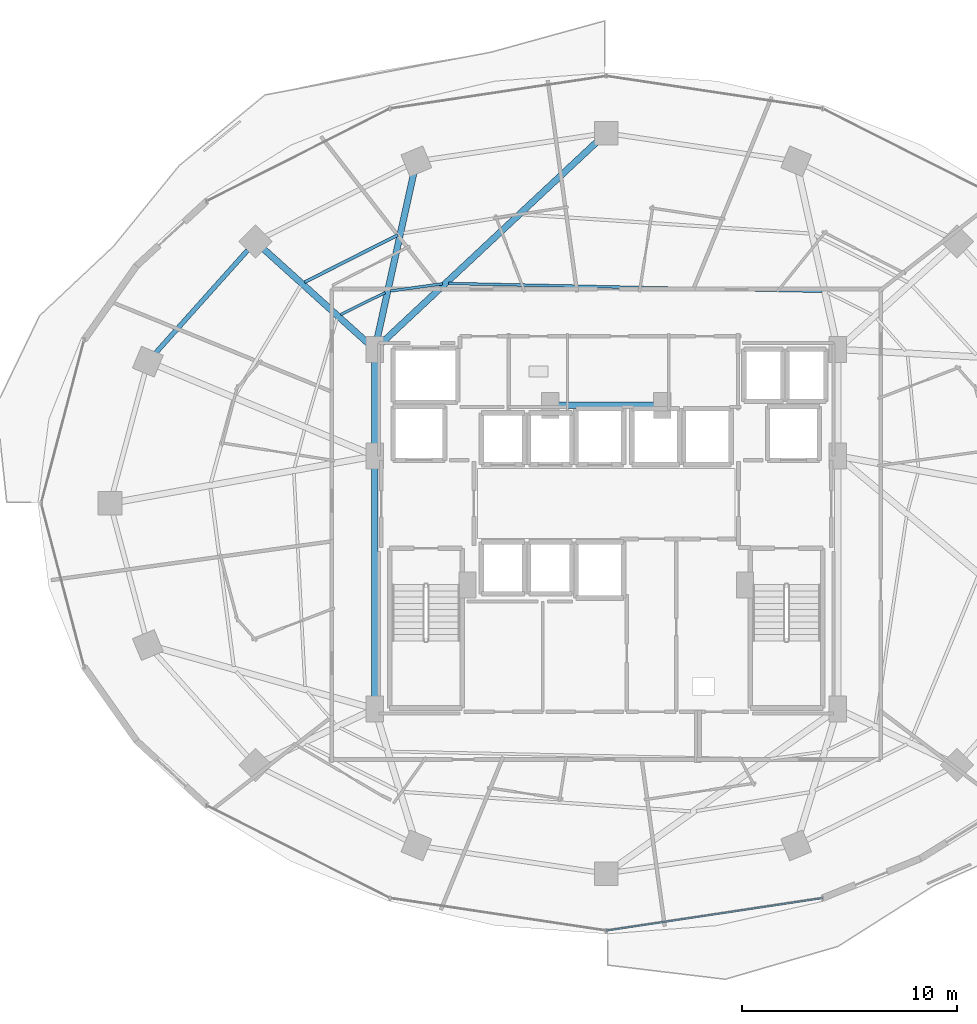
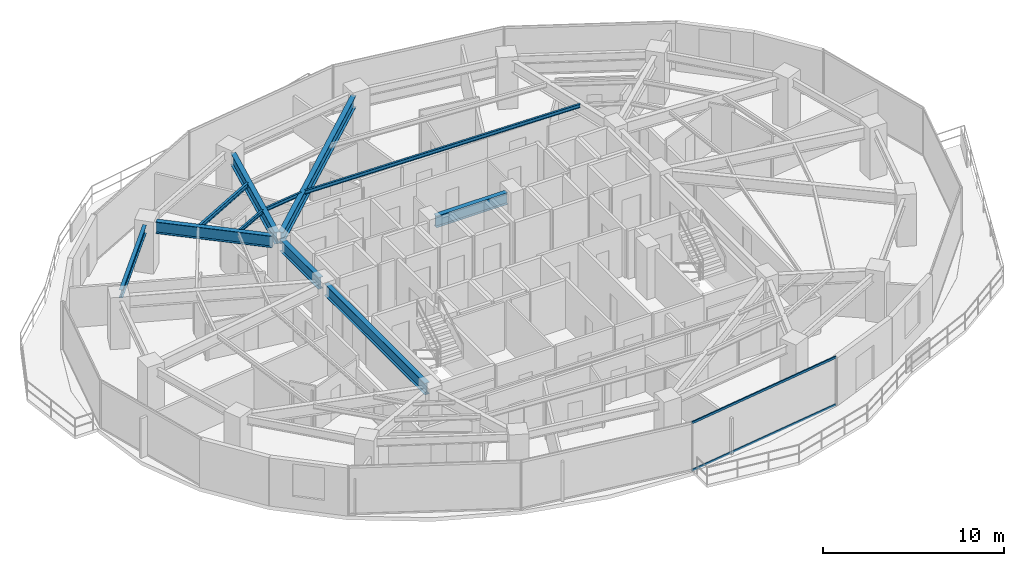
# One storey, part 9 of 30: 11 beams, 2 members, 1 element without a shape of its own.
"""IFC4 building model written with IfcOpenShell, lengths in metres."""

from ifc_helpers import new_model, si_unit, direction, frame, origin, origin_2d, place, context, subcontext, project, spatial, hollow_rectangle, i_section, extrude, material, material_profile, profile_set, type_object, element, aggregate, save


model = new_model("IFC4")

# Units and contexts
model_context = context("Model", 3, precision=1e-05, world=origin(), true_north=direction((0.0, 1.0)))
body_context = subcontext(model_context, "Body", "Model", "MODEL_VIEW")
ifc_project = project(units=[si_unit("LENGTHUNIT", "METRE"), si_unit("AREAUNIT", "SQUARE_METRE"), si_unit("VOLUMEUNIT", "CUBIC_METRE"), si_unit("PLANEANGLEUNIT", "RADIAN"), si_unit("MASSUNIT", "GRAM", prefix="KILO")], contexts=[model_context])

# Site, building, storey
site_placement = place(None, origin())
site = spatial("IfcSite", under=ifc_project, at=site_placement, CompositionType="ELEMENT")
building_placement = place(site_placement, origin())
building = spatial("IfcBuilding", under=site, at=building_placement, Name="Vorneva Point Tower", CompositionType="ELEMENT")
storey_placement = place(building_placement, frame((0.0, 0.0, 89.300048828125)))
storey = spatial("IfcBuildingStorey", under=building, at=storey_placement, Name="L23", CompositionType="ELEMENT", Elevation=89.300048828125)

# Beams
ifc_material_1 = material(Name="Steel S355", Category="steel")
ifc_material_profile_1 = material_profile(ifc_material_1, i_section(OverallWidth=0.300048828125, OverallDepth=0.7880859375, WebThickness=0.014404296875, FlangeThickness=0.02197265625, at=origin_2d()), Name="80Sh1")
ifc_profile_set_1 = profile_set([ifc_material_profile_1], Name="Steel S355")
beam_type_1 = type_object("IfcBeamType", Name="BM-GRD-80Sh1", PredefinedType="USERDEFINED", material=ifc_profile_set_1)
beam_1_placement = place(storey_placement, frame((37.60693359375, 42.83251953125, 2.845947265625), z_axis=(-0.730488863256, -0.682924608327, 0.0), x_axis=(0.682924608327, -0.730488863256, 0.0)))
element("IfcBeam", 1, at=beam_1_placement, inside=storey, type_object=beam_type_1, Name="L23 Radial Primary Girder 05", ObjectType="GIRDER", PredefinedType="USERDEFINED", context=body_context, shape_type="SweptSolid", body=[
    extrude(i_section(OverallWidth=0.300048828125, OverallDepth=0.7880859375, WebThickness=0.014404296875, FlangeThickness=0.02197265625, at=origin_2d()), origin(), (0.0, 0.0, 1.0), 13.838134765625),
])
beam_2_placement = place(storey_placement, frame((29.063232421875, 41.365234375, 2.845947265625), z_axis=(-0.215530944428, -0.976497010745, 0.0), x_axis=(0.976497010745, -0.215530944428, 0.0)))
element("IfcBeam", 2, at=beam_2_placement, inside=storey, type_object=beam_type_1, Name="L23 Radial Primary Girder 06", ObjectType="GIRDER", PredefinedType="USERDEFINED", context=body_context, shape_type="SweptSolid", body=[
    extrude(i_section(OverallWidth=0.300048828125, OverallDepth=0.7880859375, WebThickness=0.014404296875, FlangeThickness=0.02197265625, at=origin_2d()), origin(), (0.0, 0.0, 1.0), 8.072998046875),
])
beam_3_placement = place(storey_placement, frame((22.100341796875, 37.801513671875, 2.845947265625), z_axis=(0.742097300344, -0.670292172729, 0.0), x_axis=(0.670292172729, 0.742097300344, 0.0)))
element("IfcBeam", 3, at=beam_3_placement, inside=storey, type_object=beam_type_1, Name="L23 Radial Primary Girder 07", ObjectType="GIRDER", PredefinedType="USERDEFINED", context=body_context, shape_type="SweptSolid", body=[
    extrude(i_section(OverallWidth=0.300048828125, OverallDepth=0.7880859375, WebThickness=0.014404296875, FlangeThickness=0.02197265625, at=origin_2d()), origin(), (0.0, 0.0, 1.0), 6.599365234375),
])
beam_4_placement = place(storey_placement, frame((27.25, 16.77001953125, 2.845947265625), z_axis=(0.0, 1.0, 0.0), x_axis=(-1.0, 0.0, 0.0)))
element("IfcBeam", 4, at=beam_4_placement, inside=storey, type_object=beam_type_1, Name="L23 Core Tie Girder CT1", ObjectType="GIRDER", PredefinedType="USERDEFINED", context=body_context, shape_type="SweptSolid", body=[
    extrude(i_section(OverallWidth=0.300048828125, OverallDepth=0.7880859375, WebThickness=0.014404296875, FlangeThickness=0.02197265625, at=origin_2d()), origin(), (0.0, 0.0, 1.0), 11.10986328125),
])
beam_5_placement = place(storey_placement, frame((27.25, 28.52001953125, 2.845947265625), z_axis=(0.0, 1.0, 0.0), x_axis=(-1.0, 0.0, 0.0)))
element("IfcBeam", 5, at=beam_5_placement, inside=storey, type_object=beam_type_1, Name="L23 Core Tie Girder CT2", ObjectType="GIRDER", PredefinedType="USERDEFINED", context=body_context, shape_type="SweptSolid", body=[
    extrude(i_section(OverallWidth=0.300048828125, OverallDepth=0.7880859375, WebThickness=0.014404296875, FlangeThickness=0.02197265625, at=origin_2d()), origin(), (0.0, 0.0, 1.0), 4.31005859375),
])
beam_6_placement = place(storey_placement, frame((35.719970703125, 30.550048828125, 2.845947265625), z_axis=(1.0, 0.0, 0.0), x_axis=(0.0, 1.0, 0.0)))
element("IfcBeam", 6, at=beam_6_placement, inside=storey, type_object=beam_type_1, Name="L23 Core Tie Girder CT8", ObjectType="GIRDER", PredefinedType="USERDEFINED", context=body_context, shape_type="SweptSolid", body=[
    extrude(i_section(OverallWidth=0.300048828125, OverallDepth=0.7880859375, WebThickness=0.014404296875, FlangeThickness=0.02197265625, at=origin_2d()), origin(), (0.0, 0.0, 1.0), 4.56005859375),
])
ifc_material_profile_2 = material_profile(ifc_material_1, i_section(OverallWidth=0.1240234375, OverallDepth=0.248046875, WebThickness=0.0048828125, FlangeThickness=0.008056640625, at=origin_2d()), Name="25B1")
ifc_profile_set_2 = profile_set([ifc_material_profile_2], Name="Steel S355")
beam_type_2 = type_object("IfcBeamType", Name="BM-JST-25B1", PredefinedType="JOIST", material=ifc_profile_set_2)
beam_7_placement = place(storey_placement, frame((48.016845703125, 35.849853515625, 3.115966796875), z_axis=(-0.99977933568, 0.021006664342, 0.0), x_axis=(-0.021006664342, -0.99977933568, 0.0)))
element("IfcBeam", 7, at=beam_7_placement, inside=storey, type_object=beam_type_2, Name="L23 Secondary Floor Beam 2.04", PredefinedType="JOIST", context=body_context, shape_type="SweptSolid", body=[
    extrude(i_section(OverallWidth=0.1240234375, OverallDepth=0.248046875, WebThickness=0.0048828125, FlangeThickness=0.008056640625, at=origin_2d()), origin(), (0.0, 0.0, 1.0), 17.351806640625),
])
beam_8_placement = place(storey_placement, frame((30.394287109375, 36.198486328125, 3.115966796875), z_axis=(-0.990619725387, -0.136647574709, 0.0), x_axis=(0.136647574709, -0.990619725387, 0.0)))
element("IfcBeam", 8, at=beam_8_placement, inside=storey, type_object=beam_type_2, Name="L23 Secondary Floor Beam 2.05", PredefinedType="JOIST", context=body_context, shape_type="SweptSolid", body=[
    extrude(i_section(OverallWidth=0.1240234375, OverallDepth=0.248046875, WebThickness=0.0048828125, FlangeThickness=0.008056640625, at=origin_2d()), origin(), (0.0, 0.0, 1.0), 2.435302734375),
])
beam_9_placement = place(storey_placement, frame((27.721435546875, 35.785888671875, 3.115966796875), z_axis=(-0.896973792336, -0.442083720423, 0.0), x_axis=(0.442083720423, -0.896973792336, 0.0)))
element("IfcBeam", 9, at=beam_9_placement, inside=storey, type_object=beam_type_2, Name="L23 Secondary Floor Beam 2.06", PredefinedType="JOIST", context=body_context, shape_type="SweptSolid", body=[
    extrude(i_section(OverallWidth=0.1240234375, OverallDepth=0.248046875, WebThickness=0.0048828125, FlangeThickness=0.008056640625, at=origin_2d()), origin(), (0.0, 0.0, 1.0), 2.306640625),
])
ifc_material_profile_3 = material_profile(ifc_material_1, i_section(OverallWidth=0.14892578125, OverallDepth=0.298095703125, WebThickness=0.005615234375, FlangeThickness=0.008056640625, at=origin_2d()), Name="30B1")
ifc_profile_set_3 = profile_set([ifc_material_profile_3], Name="Steel S355")
beam_type_3 = type_object("IfcBeamType", Name="BM-JST-30B1", PredefinedType="JOIST", material=ifc_profile_set_3)
beam_10_placement = place(storey_placement, frame((28.313720703125, 38.46484375, 3.091064453125), z_axis=(-0.891957851433, -0.452118558862, 0.0), x_axis=(0.452118558862, -0.891957851433, 0.0)))
element("IfcBeam", 10, at=beam_10_placement, inside=storey, type_object=beam_type_3, Name="L23 Secondary Floor Beam 1.06", PredefinedType="JOIST", context=body_context, shape_type="SweptSolid", body=[
    extrude(i_section(OverallWidth=0.14892578125, OverallDepth=0.298095703125, WebThickness=0.005615234375, FlangeThickness=0.008056640625, at=origin_2d()), origin(), (0.0, 0.0, 1.0), 4.851318359375),
])
ifc_material_profile_4 = material_profile(ifc_material_1, i_section(OverallWidth=0.219970703125, OverallDepth=0.54296875, WebThickness=0.009521484375, FlangeThickness=0.013427734375, at=origin_2d()), Name="55B1")
ifc_profile_set_4 = profile_set([ifc_material_profile_4], Name="Steel S355")
beam_type_4 = type_object("IfcBeamType", Name="BM-SPN-55B1", PredefinedType="SPANDREL", material=ifc_profile_set_4)
beam_11_placement = place(storey_placement, frame((21.34423828125, 37.763671875, 2.968505859375), z_axis=(-0.667073815664, -0.744991627105, 0.0), x_axis=(0.744991627105, -0.667073815664, 0.0)))
element("IfcBeam", 11, at=beam_11_placement, inside=storey, type_object=beam_type_4, Name="L23 Perimeter Spandrel Ring Beam 07", PredefinedType="SPANDREL", context=body_context, shape_type="SweptSolid", body=[
    extrude(i_section(OverallWidth=0.219970703125, OverallDepth=0.54296875, WebThickness=0.009521484375, FlangeThickness=0.013427734375, at=origin_2d()), origin(), (0.0, 0.0, 1.0), 6.420166015625),
])

# Curtain wall, members
ifc_material_2 = material(Name="Pale anodised aluminium", Category="aluminium")
curtain_wall_type = type_object("IfcCurtainWallType", Name="CW-HTL-SYS", PredefinedType="NOTDEFINED", material=ifc_material_2)
curtain_wall_placement = place(storey_placement, origin())
curtain_wall = element("IfcCurtainWall", 12, at=curtain_wall_placement, inside=storey, type_object=curtain_wall_type, Name="L23 Unitised Curtain Wall CW-L23-R04", PredefinedType="NOTDEFINED")
ifc_material_profile_5 = material_profile(ifc_material_2, hollow_rectangle(XDim=0.074951171875, YDim=0.14990234375, WallThickness=0.00390625, at=origin_2d()), Name="AL-TRN 150x75x4")
ifc_profile_set_5 = profile_set([ifc_material_profile_5], Name="Pale anodised aluminium")
member_type = type_object("IfcMemberType", Name="CW-TRN-150", PredefinedType="USERDEFINED", material=ifc_profile_set_5)
member_1_placement = place(storey_placement, frame((38.0, 6.14990234375, 0.02001953125), z_axis=(0.988875982167, 0.148742367512, 0.0), x_axis=(-0.148742367512, 0.988875982167, 0.0)))
member_1 = element("IfcMember", 13, at=member_1_placement, type_object=member_type, Name="CW-L23-R04 Transom 03.1", ObjectType="TRANSOM", PredefinedType="USERDEFINED", context=body_context, shape_type="SweptSolid", body=[
    extrude(hollow_rectangle(XDim=0.074951171875, YDim=0.14990234375, WallThickness=0.00390625, at=origin_2d()), origin(), (0.0, 0.0, 1.0), 10.158447265625),
])
member_2_placement = place(storey_placement, frame((38.0, 6.14990234375, 3.219970703125), z_axis=(0.988875982167, 0.148742367512, 0.0), x_axis=(-0.148742367512, 0.988875982167, 0.0)))
member_2 = element("IfcMember", 14, at=member_2_placement, type_object=member_type, Name="CW-L23-R04 Transom 03.2", ObjectType="TRANSOM", PredefinedType="USERDEFINED", context=body_context, shape_type="SweptSolid", body=[
    extrude(hollow_rectangle(XDim=0.074951171875, YDim=0.14990234375, WallThickness=0.00390625, at=origin_2d()), origin(), (0.0, 0.0, 1.0), 10.158447265625),
])
aggregate(curtain_wall, [member_1, member_2])

save(model, "model.ifc")
